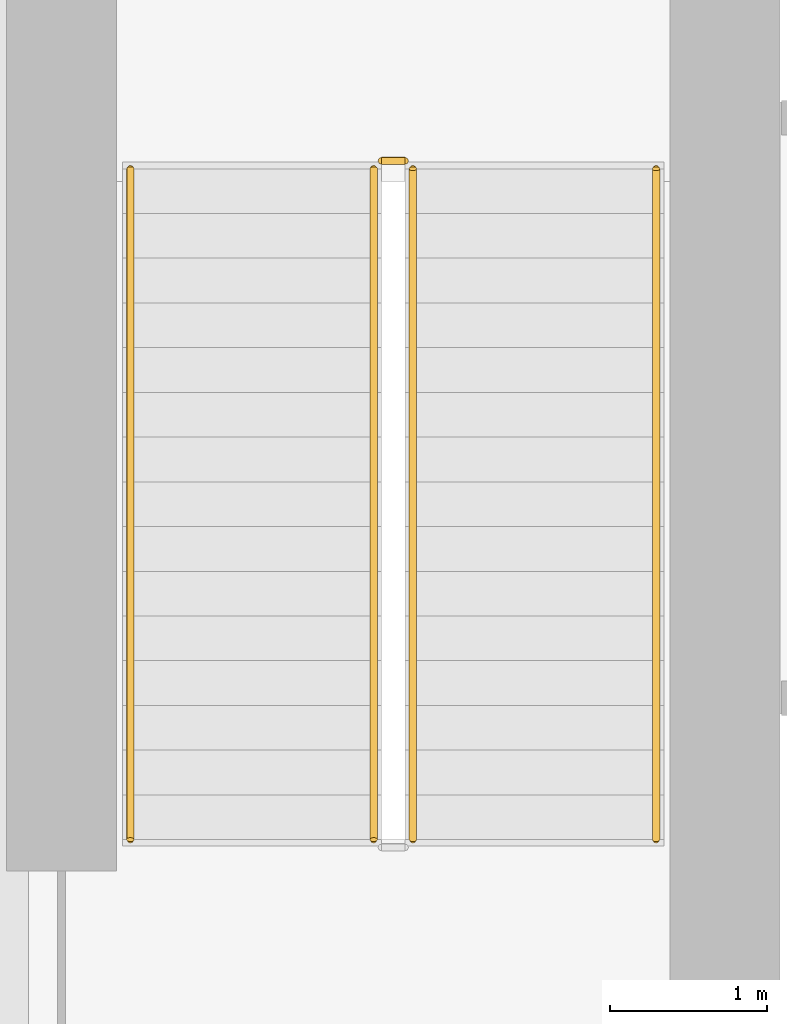
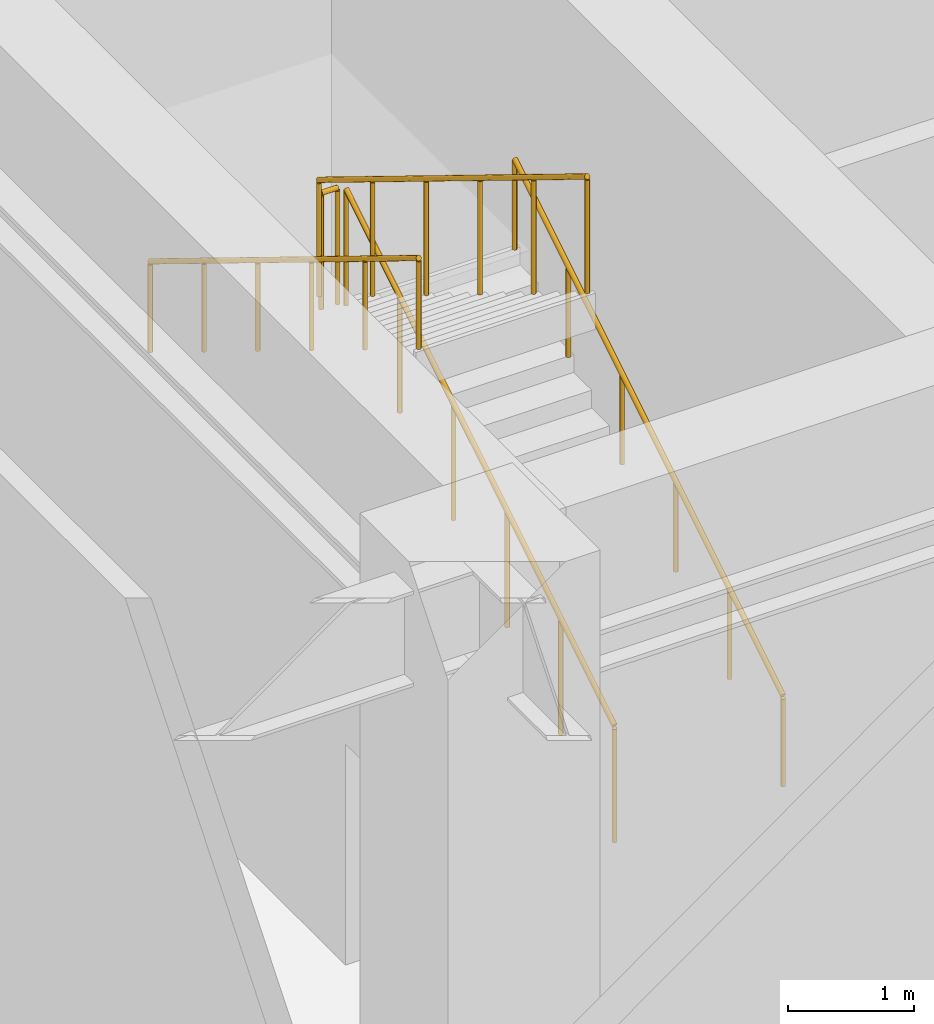
# One storey, part 17 of 21: 5 railings.
"""IFC4 building model written with IfcOpenShell, lengths in metres."""

from ifc_helpers import new_model, si_unit, direction, frame, origin, origin_2d, place, context, subcontext, project, spatial, circle, extrude, material, type_object, element, save


model = new_model("IFC4")

# Units and contexts
model_context = context("Model", 3, precision=1e-05, world=origin(), true_north=direction((0.0, 1.0)))
body_context = subcontext(model_context, "Body", "Model", "MODEL_VIEW")
ifc_project = project(units=[si_unit("LENGTHUNIT", "METRE"), si_unit("AREAUNIT", "SQUARE_METRE"), si_unit("VOLUMEUNIT", "CUBIC_METRE"), si_unit("PLANEANGLEUNIT", "RADIAN"), si_unit("MASSUNIT", "GRAM", prefix="KILO")], contexts=[model_context])

# Site, building, storey
site_placement = place(None, origin())
site = spatial("IfcSite", under=ifc_project, at=site_placement, CompositionType="ELEMENT")
building_placement = place(site_placement, origin())
building = spatial("IfcBuilding", under=site, at=building_placement, Name="Nhamokura Convention Tower", CompositionType="ELEMENT")
storey_placement = place(building_placement, frame((0.0, 0.0, 6.64990234375)))
storey = spatial("IfcBuildingStorey", under=building, at=storey_placement, Name="L01", CompositionType="ELEMENT", Elevation=6.64990234375)

# Railings
ifc_material_1 = material(Name="Anodised bronze stainless steel", Category="steel")
railing_type_1 = type_object("IfcRailingType", Name="StairWallHandrail_900", PredefinedType="HANDRAIL", material=ifc_material_1)
railing_1_placement = place(storey_placement, frame((24.85009765625, 23.10009765625, 0.175048828125)))
element("IfcRailing", 1, at=railing_1_placement, inside=storey, type_object=railing_type_1, Name="L01 ST-01 stair handrail 1", PredefinedType="HANDRAIL", context=body_context, shape_type="SweptSolid", body=[
    extrude(circle(Radius=0.02392578125, at=origin_2d()), frame((0.0, 0.0, 0.8759765625), z_axis=(0.0, 0.852165895541, 0.523271713813), x_axis=(-1.0, 0.0, 0.0)), (0.0, 0.0, 1.0), 5.0166015625),
    extrude(circle(Radius=0.02099609375, at=origin_2d()), origin(), (0.0, 0.0, 1.0), 0.851806640625),
    extrude(circle(Radius=0.02099609375, at=origin_2d()), frame((0.0, 0.85498046875, 0.52490234375)), (0.0, 0.0, 1.0), 0.851806640625),
    extrude(circle(Radius=0.02099609375, at=origin_2d()), frame((0.0, 1.7099609375, 1.050048828125)), (0.0, 0.0, 1.0), 0.851806640625),
    extrude(circle(Radius=0.02099609375, at=origin_2d()), frame((0.0, 2.56494140625, 1.574951171875)), (0.0, 0.0, 1.0), 0.851806640625),
    extrude(circle(Radius=0.02099609375, at=origin_2d()), frame((0.0, 3.419921875, 2.10009765625)), (0.0, 0.0, 1.0), 0.851806640625),
    extrude(circle(Radius=0.02099609375, at=origin_2d()), frame((0.0, 4.27490234375, 2.625)), (0.0, 0.0, 1.0), 0.851806640625),
])
railing_2_placement = place(storey_placement, frame((21.5, 27.375, 2.97509765625)))
element("IfcRailing", 2, at=railing_2_placement, inside=storey, type_object=railing_type_1, Name="L01 ST-01 stair handrail 2", PredefinedType="HANDRAIL", context=body_context, shape_type="SweptSolid", body=[
    extrude(circle(Radius=0.02392578125, at=origin_2d()), frame((0.0, 0.0, 0.8759765625), z_axis=(0.0, -0.852165895541, 0.523271713813), x_axis=(1.0, 0.0, 0.0)), (0.0, 0.0, 1.0), 5.0166015625),
    extrude(circle(Radius=0.02099609375, at=origin_2d()), origin(), (0.0, 0.0, 1.0), 0.851806640625),
    extrude(circle(Radius=0.02099609375, at=origin_2d()), frame((0.0, -0.85498046875, 0.52490234375)), (0.0, 0.0, 1.0), 0.851806640625),
    extrude(circle(Radius=0.02099609375, at=origin_2d()), frame((0.0, -1.7099609375, 1.050048828125)), (0.0, 0.0, 1.0), 0.851806640625),
    extrude(circle(Radius=0.02099609375, at=origin_2d()), frame((0.0, -2.56494140625, 1.574951171875)), (0.0, 0.0, 1.0), 0.851806640625),
    extrude(circle(Radius=0.02099609375, at=origin_2d()), frame((0.0, -3.419921875, 2.10009765625)), (0.0, 0.0, 1.0), 0.851806640625),
    extrude(circle(Radius=0.02099609375, at=origin_2d()), frame((0.0, -4.27490234375, 2.625)), (0.0, 0.0, 1.0), 0.851806640625),
])
ifc_material_2 = material(Name="Painted tubular steel", Category="steel")
railing_type_2 = type_object("IfcRailingType", Name="StairWellGuardrail_1150", PredefinedType="GUARDRAIL", material=ifc_material_2)
railing_3_placement = place(storey_placement, frame((23.300048828125, 23.10009765625, 0.175048828125)))
element("IfcRailing", 3, at=railing_3_placement, inside=storey, type_object=railing_type_2, Name="L01 ST-01 stair guard 1", PredefinedType="GUARDRAIL", context=body_context, shape_type="SweptSolid", body=[
    extrude(circle(Radius=0.02392578125, at=origin_2d()), frame((0.0, 0.0, 1.1259765625), z_axis=(0.0, 0.852165895541, 0.523271713813), x_axis=(-1.0, 0.0, 0.0)), (0.0, 0.0, 1.0), 5.0166015625),
    extrude(circle(Radius=0.02099609375, at=origin_2d()), origin(), (0.0, 0.0, 1.0), 1.101806640625),
    extrude(circle(Radius=0.02099609375, at=origin_2d()), frame((0.0, 0.85498046875, 0.52490234375)), (0.0, 0.0, 1.0), 1.101806640625),
    extrude(circle(Radius=0.02099609375, at=origin_2d()), frame((0.0, 1.7099609375, 1.050048828125)), (0.0, 0.0, 1.0), 1.101806640625),
    extrude(circle(Radius=0.02099609375, at=origin_2d()), frame((0.0, 2.56494140625, 1.574951171875)), (0.0, 0.0, 1.0), 1.101806640625),
    extrude(circle(Radius=0.02099609375, at=origin_2d()), frame((0.0, 3.419921875, 2.10009765625)), (0.0, 0.0, 1.0), 1.101806640625),
    extrude(circle(Radius=0.02099609375, at=origin_2d()), frame((0.0, 4.27490234375, 2.625)), (0.0, 0.0, 1.0), 1.101806640625),
])
railing_4_placement = place(storey_placement, frame((23.25, 27.425048828125, 2.800048828125)))
element("IfcRailing", 4, at=railing_4_placement, inside=storey, type_object=railing_type_2, Name="L01 ST-01 stair guard 2", PredefinedType="GUARDRAIL", context=body_context, shape_type="SweptSolid", body=[
    extrude(circle(Radius=0.02392578125, at=origin_2d()), frame((0.0, 0.0, 1.1259765625), z_axis=(-1.0, 0.0, 0.0), x_axis=(0.0, -1.0, 0.0)), (0.0, 0.0, 1.0), 0.14990234375),
    extrude(circle(Radius=0.02099609375, at=origin_2d()), origin(), (0.0, 0.0, 1.0), 1.101806640625),
    extrude(circle(Radius=0.02099609375, at=origin_2d()), frame((-0.14990234375, 0.0, 0.0)), (0.0, 0.0, 1.0), 1.101806640625),
])
railing_5_placement = place(storey_placement, frame((23.050048828125, 27.375, 2.97509765625)))
element("IfcRailing", 5, at=railing_5_placement, inside=storey, type_object=railing_type_2, Name="L01 ST-01 stair guard 3", PredefinedType="GUARDRAIL", context=body_context, shape_type="SweptSolid", body=[
    extrude(circle(Radius=0.02392578125, at=origin_2d()), frame((0.0, 0.0, 1.1259765625), z_axis=(0.0, -0.852165895541, 0.523271713813), x_axis=(1.0, 0.0, 0.0)), (0.0, 0.0, 1.0), 5.0166015625),
    extrude(circle(Radius=0.02099609375, at=origin_2d()), origin(), (0.0, 0.0, 1.0), 1.101806640625),
    extrude(circle(Radius=0.02099609375, at=origin_2d()), frame((0.0, -0.85498046875, 0.52490234375)), (0.0, 0.0, 1.0), 1.101806640625),
    extrude(circle(Radius=0.02099609375, at=origin_2d()), frame((0.0, -1.7099609375, 1.050048828125)), (0.0, 0.0, 1.0), 1.101806640625),
    extrude(circle(Radius=0.02099609375, at=origin_2d()), frame((0.0, -2.56494140625, 1.574951171875)), (0.0, 0.0, 1.0), 1.101806640625),
    extrude(circle(Radius=0.02099609375, at=origin_2d()), frame((0.0, -3.419921875, 2.10009765625)), (0.0, 0.0, 1.0), 1.101806640625),
    extrude(circle(Radius=0.02099609375, at=origin_2d()), frame((0.0, -4.27490234375, 2.625)), (0.0, 0.0, 1.0), 1.101806640625),
])

save(model, "model.ifc")
